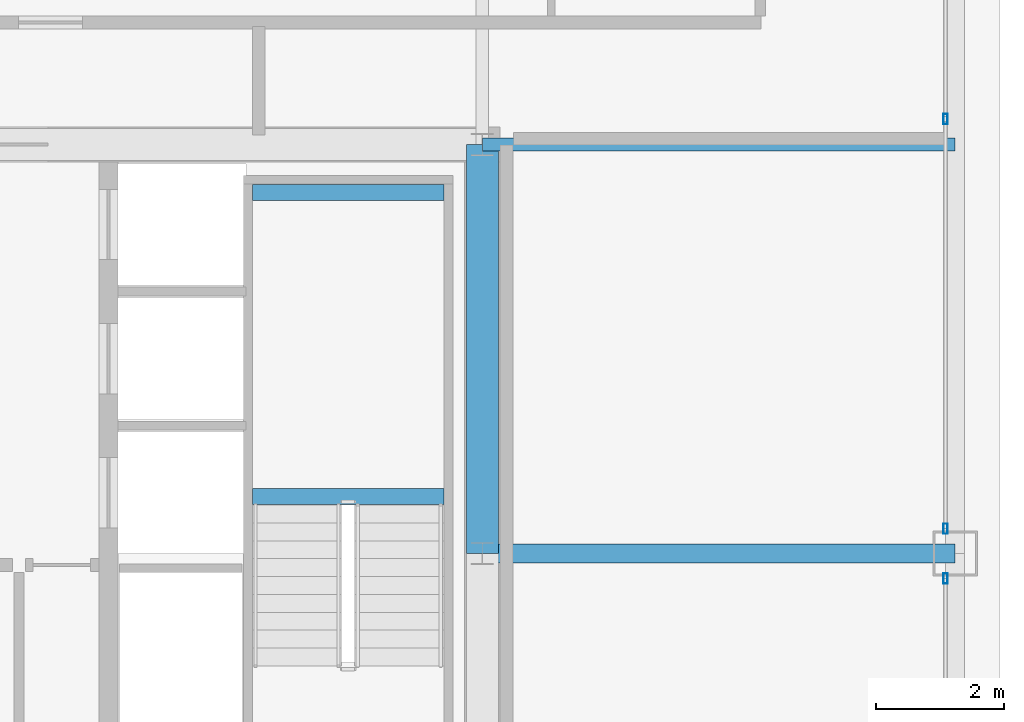
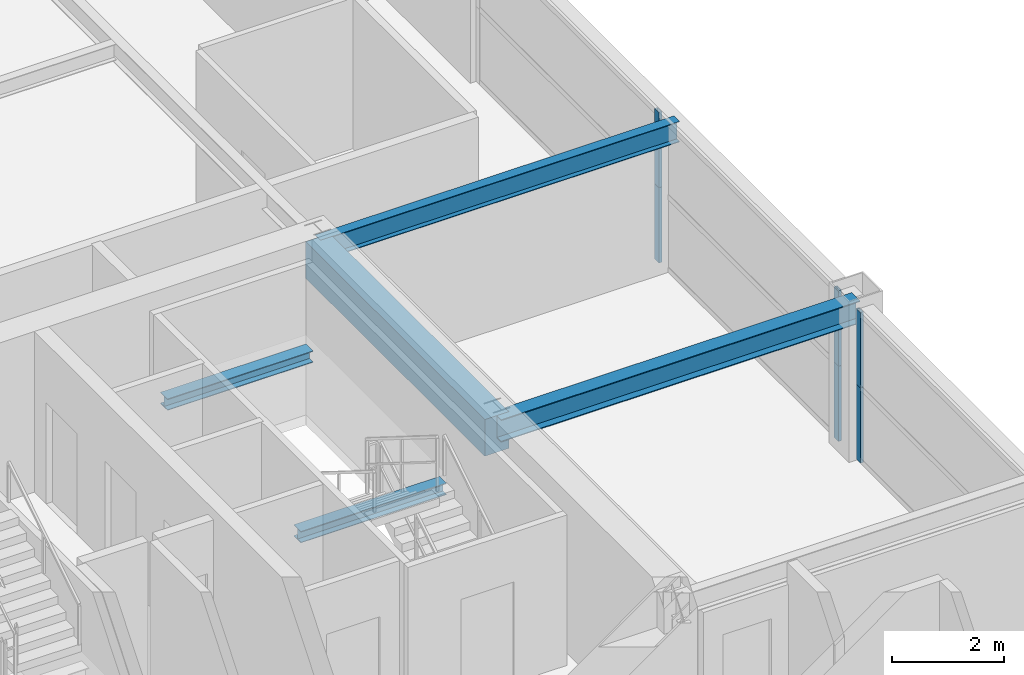
# One storey, part 19 of 35: 6 members, 5 beams, 2 elements without a shape of their own.
"""IFC4 building model written with IfcOpenShell, lengths in metres."""

import ifcopenshell
import ifcopenshell.guid

model = None  # the IFC model being written
_history = None  # IfcOwnerHistory: only IFC2X3 demands one
_inside = {}  # id of a spatial element -> (the spatial element, [elements in it])
_under = {}  # id of a project, library or spatial element -> (it, [spatial elements below it])
_declared = {}  # id of a project -> (the project, [libraries it declares])
_typed = {}  # id of a type object -> (the type object, [elements of that type])
_made_of = {}  # id of a material, layer set ... -> (it, [elements and type objects made of it])


def new_model(schema):
    """Start an empty IFC model of exactly this schema.

    Asked for "IFC4X3", IfcOpenShell would pick the latest addendum, in which some entities
    have other attributes; the version numbers below select the first issue.
    IFC2X3 requires an IfcOwnerHistory on every rooted entity: one is made here for all.
    """
    global model, _history
    if schema == "IFC4X3":
        model = ifcopenshell.file(schema_version=(4, 3, 0, 0))
    else:
        model = ifcopenshell.file(schema=schema)
    _inside.clear()
    _under.clear()
    _declared.clear()
    _typed.clear()
    _made_of.clear()
    _history = None
    if model.schema == "IFC2X3":
        org = make("IfcOrganization", Name="unknown")
        user = make(
            "IfcPersonAndOrganization",
            ThePerson=make("IfcPerson", FamilyName="unknown"),
            TheOrganization=org,
        )
        app = make(
            "IfcApplication",
            ApplicationDeveloper=org,
            Version="unknown",
            ApplicationFullName="unknown",
            ApplicationIdentifier="unknown",
        )
        _history = make(
            "IfcOwnerHistory",
            OwningUser=user,
            OwningApplication=app,
            ChangeAction="ADDED",
            CreationDate=0,
        )
    return model


def make(cls, **values):
    """One entity of the class cls with the attributes given. An attribute that is None is left unset."""
    return model.create_entity(
        cls, **{name: value for name, value in values.items() if value is not None}
    )


def rooted(cls, **values):
    """An entity with a GlobalId (a new one), such as an element, a storey or a relation."""
    return make(cls, GlobalId=ifcopenshell.guid.new(), OwnerHistory=_history, **values)


def si_unit(unit_type, name, prefix=None):
    """IfcSIUnit, for example si_unit("LENGTHUNIT", "METRE", prefix="MILLI")."""
    return make("IfcSIUnit", UnitType=unit_type, Prefix=prefix, Name=name)


def assignment(units):
    """IfcUnitAssignment: the units of a project."""
    return None if units is None else make("IfcUnitAssignment", Units=units)


def point(xyz):
    """IfcCartesianPoint."""
    return None if xyz is None else make("IfcCartesianPoint", Coordinates=xyz)


def direction(xyz):
    """IfcDirection."""
    return None if xyz is None else make("IfcDirection", DirectionRatios=xyz)


def frame(location, z_axis=None, x_axis=None):
    """IfcAxis2Placement3D, a coordinate frame: its origin and axes. An axis left out is left unset."""
    return make(
        "IfcAxis2Placement3D",
        Location=point(location),
        Axis=direction(z_axis),
        RefDirection=direction(x_axis),
    )


def frame_2d(location, x_axis=None):
    """IfcAxis2Placement2D, a coordinate frame in the plane: its origin and x axis."""
    return make(
        "IfcAxis2Placement2D", Location=point(location), RefDirection=direction(x_axis)
    )


def origin():
    """The frame at (0, 0, 0) with its axes left unset."""
    return frame((0.0, 0.0, 0.0))


def origin_2d():
    """The frame at (0, 0) in the plane with its x axis left unset."""
    return frame_2d((0.0, 0.0))


def place(relative_to, where):
    """IfcLocalPlacement: puts the frame where relative to a parent placement (None: the world)."""
    return make(
        "IfcLocalPlacement", PlacementRelTo=relative_to, RelativePlacement=where
    )


def context(
    kind, dimensions, precision=None, world=None, true_north=None, identifier=None
):
    """IfcGeometricRepresentationContext, for example the 3D "Model" context."""
    return make(
        "IfcGeometricRepresentationContext",
        ContextIdentifier=identifier,
        ContextType=kind,
        CoordinateSpaceDimension=dimensions,
        Precision=precision,
        WorldCoordinateSystem=world,
        TrueNorth=true_north,
    )


def subcontext(parent, identifier, kind, view, scale=None):
    """IfcGeometricRepresentationSubContext, for example "Body" below "Model"."""
    return make(
        "IfcGeometricRepresentationSubContext",
        ContextIdentifier=identifier,
        ContextType=kind,
        ParentContext=parent,
        TargetScale=scale,
        TargetView=view,
    )


def project(units=None, contexts=None):
    """IfcProject with its units and contexts."""
    return rooted(
        "IfcProject",
        Name="project",
        RepresentationContexts=contexts,
        UnitsInContext=assignment(units),
    )


def spatial(cls, under=None, at=None, **own):
    """A site, building, storey or space (cls), placed at a placement, below another one or the project."""
    s = rooted(cls, ObjectPlacement=at, **own)
    if under is not None:
        _under.setdefault(under.id(), (under, []))[1].append(s)
    return s


def profile(cls, at=None, kind="AREA", **sizes):
    """A parametric profile (cls). Its sizes go by their IFC names, for example OverallWidth=200.0."""
    return make(cls, ProfileType=kind, Position=at, **sizes)


def rectangle(**sizes):
    """IfcRectangleProfileDef."""
    return profile("IfcRectangleProfileDef", **sizes)


def hollow_rectangle(**sizes):
    """IfcRectangleHollowProfileDef."""
    return profile("IfcRectangleHollowProfileDef", **sizes)


def i_section(**sizes):
    """IfcIShapeProfileDef."""
    return profile("IfcIShapeProfileDef", **sizes)


def extrude(swept, where, along, depth):
    """IfcExtrudedAreaSolid: the profile swept, set in the frame where, extruded along a direction by depth."""
    return make(
        "IfcExtrudedAreaSolid",
        SweptArea=swept,
        Position=where,
        ExtrudedDirection=direction(along),
        Depth=depth,
    )


def shape(context_of_items, identifier, shape_type, items):
    """IfcShapeRepresentation: the items that make up one representation, for example the "Body"."""
    return make(
        "IfcShapeRepresentation",
        ContextOfItems=context_of_items,
        RepresentationIdentifier=identifier,
        RepresentationType=shape_type,
        Items=items,
    )


def source(mapping_origin, context_of_items, identifier, shape_type, items):
    """IfcRepresentationMap: a shape defined once, which mapped items show again and again."""
    return make(
        "IfcRepresentationMap",
        MappingOrigin=mapping_origin,
        MappedRepresentation=shape(context_of_items, identifier, shape_type, items),
    )


def transform(
    local_origin,
    x_axis=None,
    y_axis=None,
    z_axis=None,
    scale=None,
    scale2=None,
    scale3=None,
    uniform=True,
):
    """IfcCartesianTransformationOperator3D, or its non-uniform kind. x_axis, y_axis, z_axis: its Axis1, 2, 3."""
    if uniform:
        return make(
            "IfcCartesianTransformationOperator3D",
            Axis1=direction(x_axis),
            Axis2=direction(y_axis),
            LocalOrigin=point(local_origin),
            Scale=scale,
            Axis3=direction(z_axis),
        )
    return make(
        "IfcCartesianTransformationOperator3DnonUniform",
        Axis1=direction(x_axis),
        Axis2=direction(y_axis),
        LocalOrigin=point(local_origin),
        Scale=scale,
        Axis3=direction(z_axis),
        Scale2=scale2,
        Scale3=scale3,
    )


def mapped(mapping_source, mapping_target):
    """IfcMappedItem: shows the shape of a source again, moved by a transform."""
    return make(
        "IfcMappedItem", MappingSource=mapping_source, MappingTarget=mapping_target
    )


def material(Name=None, Category=None):
    """IfcMaterial."""
    return make("IfcMaterial", Name=Name, Category=Category)


def layer(
    of_material, thickness, ventilated=None, Name=None, Category=None, Priority=None
):
    """IfcMaterialLayer: one layer of a wall or slab, of a material (None: an air gap)."""
    return make(
        "IfcMaterialLayer",
        Material=of_material,
        LayerThickness=thickness,
        IsVentilated=ventilated,
        Name=Name,
        Category=Category,
        Priority=Priority,
    )


def layer_set(layers, Name=None):
    """IfcMaterialLayerSet."""
    return make("IfcMaterialLayerSet", MaterialLayers=layers, LayerSetName=Name)


def material_profile(
    of_material, cross_section, Name=None, Category=None, Priority=None
):
    """IfcMaterialProfile: a cross section and its material."""
    return make(
        "IfcMaterialProfile",
        Name=Name,
        Material=of_material,
        Profile=cross_section,
        Priority=Priority,
        Category=Category,
    )


def profile_set(profiles, Name=None, composite=None):
    """IfcMaterialProfileSet."""
    return make(
        "IfcMaterialProfileSet",
        Name=Name,
        MaterialProfiles=profiles,
        CompositeProfile=composite,
    )


def made_of(thing, what):
    """Note that an element or type object is made of a material, layer set ...; save() writes the relation."""
    if what is not None:
        _made_of.setdefault(what.id(), (what, []))[1].append(thing)
    return thing


def type_object(cls, material=None, **own):
    """A type object (cls), such as IfcWallType, which elements share."""
    return made_of(rooted(cls, **own), material)


def element(
    cls,
    number,
    at=None,
    inside=None,
    cuts=None,
    type_object=None,
    material=None,
    context=None,
    identifier="Body",
    shape_type=None,
    held_by="IfcProductDefinitionShape",
    body=None,
    shapes=None,
    **own,
):
    """One element of the class cls, such as IfcWall. Its Tag is "e" and its number.

    at: its placement. inside: the storey or other place that contains it. cuts: it is an
    opening in that element (IfcRelVoidsElement). A single representation is given by context,
    identifier, shape_type and body (its items); several are given by shapes. held_by: the class
    of the entity that holds the representations. save() writes the other relations.
    """
    e = rooted(cls, Tag="e%d" % number, ObjectPlacement=at, **own)
    if body is not None:
        shapes = [shape(context, identifier, shape_type, body)]
    if shapes is not None:
        e.Representation = make(held_by, Representations=shapes)
    if inside is not None:
        _inside.setdefault(inside.id(), (inside, []))[1].append(e)
    if cuts is not None:
        rooted(
            "IfcRelVoidsElement", RelatingBuildingElement=cuts, RelatedOpeningElement=e
        )
    if type_object is not None:
        _typed.setdefault(type_object.id(), (type_object, []))[1].append(e)
    return made_of(e, material)


def aggregate(whole, parts):
    """IfcRelAggregates: a whole, such as a stair, and the parts it consists of."""
    return rooted("IfcRelAggregates", RelatingObject=whole, RelatedObjects=parts)


def save(model, path):
    """Write the relations noted so far, then the file.

    IfcRelAggregates (storeys below a building ...), IfcRelContainedInSpatialStructure (elements
    in a storey), IfcRelDefinesByType, IfcRelAssociatesMaterial and IfcRelDeclares: one each for
    every whole, place, type object, material and project.
    """
    for whole, parts in _under.values():
        aggregate(whole, parts)
    for where, things in _inside.values():
        rooted(
            "IfcRelContainedInSpatialStructure",
            RelatedElements=things,
            RelatingStructure=where,
        )
    for kind, things in _typed.values():
        rooted("IfcRelDefinesByType", RelatedObjects=things, RelatingType=kind)
    for what, things in _made_of.values():
        rooted("IfcRelAssociatesMaterial", RelatedObjects=things, RelatingMaterial=what)
    for by, libraries in _declared.values():
        rooted("IfcRelDeclares", RelatingContext=by, RelatedDefinitions=libraries)
    model.write(path)


model = new_model("IFC4")

# Units and contexts
model_context = context("Model", 3, precision=1e-05, world=origin(), true_north=direction((0.0, 1.0)))
body_context = subcontext(model_context, "Body", "Model", "MODEL_VIEW")
ifc_project = project(units=[si_unit("LENGTHUNIT", "METRE"), si_unit("AREAUNIT", "SQUARE_METRE"), si_unit("VOLUMEUNIT", "CUBIC_METRE"), si_unit("PLANEANGLEUNIT", "RADIAN"), si_unit("MASSUNIT", "GRAM", prefix="KILO"), si_unit("THERMODYNAMICTEMPERATUREUNIT", "KELVIN"), si_unit("POWERUNIT", "WATT")], contexts=[model_context])

# Site, building, storey
site_placement = place(None, origin())
site = spatial("IfcSite", under=ifc_project, at=site_placement, CompositionType="ELEMENT")
building_placement = place(site_placement, origin())
building = spatial("IfcBuilding", under=site, at=building_placement, Name="Yuzanri Waterfront Tower", CompositionType="ELEMENT")
storey_placement = place(building_placement, frame((0.0, 0.0, 271.60009765625)))
storey = spatial("IfcBuildingStorey", under=building, at=storey_placement, Name="L72", CompositionType="ELEMENT", Elevation=271.60009765625)

# Beams
ifc_material_1 = material(Name="Concrete C50", Category="concrete")
ifc_material_profile_1 = material_profile(ifc_material_1, rectangle(XDim=0.5, YDim=0.800048828125, at=origin_2d()), Name="RC 500x800")
ifc_profile_set_1 = profile_set([ifc_material_profile_1], Name="Concrete C50")
beam_type_1 = type_object("IfcBeamType", Name="Core Coupling Lintel Concrete C50 500x800", PredefinedType="LINTEL", material=ifc_profile_set_1)
shared_shape_1 = source(origin(), body_context, "Body", "SweptSolid", [
    extrude(rectangle(XDim=0.5, YDim=0.800048828125, at=origin_2d()), origin(), (0.0, 0.0, 1.0), 6.39990234375),
])
beam_1_placement = place(storey_placement, frame((50.199951171875, 25.800048828125, 2.8798828125), z_axis=(0.0, 1.0, 0.0), x_axis=(-1.0, 0.0, 0.0)))
element("IfcBeam", 1, at=beam_1_placement, inside=storey, type_object=beam_type_1, Name="L72 Core Tie Beam CE2", PredefinedType="LINTEL", context=body_context, shape_type="MappedRepresentation", body=[
    mapped(shared_shape_1, transform((0.0, 0.0, 0.0), scale=1.0)),
])
ifc_material_2 = material(Name="Steel Q355B", Category="steel")
ifc_material_profile_2 = material_profile(ifc_material_2, i_section(OverallWidth=0.300048828125, OverallDepth=0.488037109375, WebThickness=0.010986328125, FlangeThickness=0.01806640625, at=origin_2d()), Name="HM 488x300x11x18")
ifc_profile_set_2 = profile_set([ifc_material_profile_2], Name="Steel Q355B")
beam_type_2 = type_object("IfcBeamType", Name="Primary Floor Girder Q355B HM 488x300", PredefinedType="BEAM", material=ifc_profile_set_2)
shared_shape_2 = source(origin(), body_context, "Body", "SweptSolid", [
    extrude(i_section(OverallWidth=0.300048828125, OverallDepth=0.488037109375, WebThickness=0.010986328125, FlangeThickness=0.01806640625, at=origin_2d()), origin(), (0.0, 0.0, 1.0), 7.400146484375),
])
beam_2_placement = place(storey_placement, frame((50.199951171875, 25.800048828125, 3.035888671875), z_axis=(1.0, 0.0, 0.0), x_axis=(0.0, 1.0, 0.0)))
element("IfcBeam", 2, at=beam_2_placement, inside=storey, type_object=beam_type_2, Name="L72 East Grid Girder", PredefinedType="BEAM", context=body_context, shape_type="MappedRepresentation", body=[
    mapped(shared_shape_2, transform((0.0, 0.0, 0.0), scale=1.0)),
])
ifc_material_3 = material(Name="Steel Q355B", Category="steel")
ifc_material_profile_3 = material_profile(ifc_material_3, i_section(OverallWidth=0.199951171875, OverallDepth=0.449951171875, WebThickness=0.009033203125, FlangeThickness=0.013916015625, at=origin_2d()), Name="HN 450x200x9x14")
ifc_profile_set_3 = profile_set([ifc_material_profile_3], Name="Steel Q355B")
beam_type_3 = type_object("IfcBeamType", Name="Secondary Floor Beam Q355B HN 450x200", PredefinedType="BEAM", material=ifc_profile_set_3)
shared_shape_3 = source(origin(), body_context, "Body", "SweptSolid", [
    extrude(i_section(OverallWidth=0.199951171875, OverallDepth=0.449951171875, WebThickness=0.009033203125, FlangeThickness=0.013916015625, at=origin_2d()), origin(), (0.0, 0.0, 1.0), 7.400146484375),
])
beam_3_placement = place(storey_placement, frame((50.199951171875, 32.199951171875, 3.054931640625), z_axis=(1.0, 0.0, 0.0), x_axis=(0.0, 1.0, 0.0)))
element("IfcBeam", 3, at=beam_3_placement, inside=storey, type_object=beam_type_3, Name="L72 East-North Core Line Beam", PredefinedType="BEAM", context=body_context, shape_type="MappedRepresentation", body=[
    mapped(shared_shape_3, transform((0.0, 0.0, 0.0), scale=1.0)),
])

# Curtain wall, members
ifc_material_4 = material(Name="Anodized Architectural Bronze", Category="metal")
ifc_layer = layer(ifc_material_4, 0.159912109375)
ifc_layer_set = layer_set([ifc_layer], Name="Anodized Architectural Bronze")
curtain_wall_type = type_object("IfcCurtainWallType", Name="Anodized Bronze Mid-Rise Residential Acoustic Unitized Curtain Wall 7200", PredefinedType="NOTDEFINED", material=ifc_layer_set)
curtain_wall_1_placement = place(storey_placement, origin())
curtain_wall_1 = element("IfcCurtainWall", 4, at=curtain_wall_1_placement, inside=storey, type_object=curtain_wall_type, Name="L72 Curtain Wall CW-L72-EL", PredefinedType="NOTDEFINED")
ifc_material_5 = material(Name="Anodized Architectural Bronze", Category="metal")
ifc_material_profile_4 = material_profile(ifc_material_5, hollow_rectangle(XDim=0.06494140625, YDim=0.159912109375, WallThickness=0.00341796875, at=origin_2d()), Name="CWM 65x160")
ifc_profile_set_4 = profile_set([ifc_material_profile_4], Name="Anodized Architectural Bronze")
member_type = type_object("IfcMemberType", Name="Anodized Bronze Upper-Zone Curtain-Wall Mullion 65x160", PredefinedType="MULLION", material=ifc_profile_set_4)
shared_shape_4 = source(origin(), body_context, "Body", "SweptSolid", [
    extrude(hollow_rectangle(XDim=0.06494140625, YDim=0.159912109375, WallThickness=0.00341796875, at=origin_2d()), origin(), (0.0, 0.0, 1.0), 1.637939453125),
])
member_1_placement = place(storey_placement, frame((57.449951171875, 25.409912109375, 0.0), z_axis=(0.0, 0.0, 1.0), x_axis=(1.0, 0.0, 0.0)))
member_1 = element("IfcMember", 5, at=member_1_placement, type_object=member_type, Name="CW-L72-EL Lower Mullion 02", PredefinedType="MULLION", context=body_context, shape_type="MappedRepresentation", body=[
    mapped(shared_shape_4, transform((0.0, 0.0, 0.0), scale=1.0)),
])
member_2_placement = place(storey_placement, frame((57.449951171875, 25.409912109375, 1.641845703125), z_axis=(0.0, 0.0, 1.0), x_axis=(1.0, 0.0, 0.0)))
member_2 = element("IfcMember", 6, at=member_2_placement, type_object=member_type, Name="CW-L72-EL Upper Mullion 02", PredefinedType="MULLION", context=body_context, shape_type="MappedRepresentation", body=[
    mapped(shared_shape_4, transform((0.0, 0.0, 0.0), scale=1.0)),
])
aggregate(curtain_wall_1, [member_1, member_2])

curtain_wall_2_placement = place(storey_placement, origin())
curtain_wall_2 = element("IfcCurtainWall", 7, at=curtain_wall_2_placement, inside=storey, type_object=curtain_wall_type, Name="L72 Curtain Wall CW-L72-ER", PredefinedType="NOTDEFINED")
member_3_placement = place(storey_placement, frame((57.449951171875, 26.18994140625, 0.0), z_axis=(0.0, 0.0, 1.0), x_axis=(1.0, 0.0, 0.0)))
member_3 = element("IfcMember", 8, at=member_3_placement, type_object=member_type, Name="CW-L72-ER Lower Mullion 00", PredefinedType="MULLION", context=body_context, shape_type="MappedRepresentation", body=[
    mapped(shared_shape_4, transform((0.0, 0.0, 0.0), scale=1.0)),
])
member_4_placement = place(storey_placement, frame((57.449951171875, 26.18994140625, 1.641845703125), z_axis=(0.0, 0.0, 1.0), x_axis=(1.0, 0.0, 0.0)))
member_4 = element("IfcMember", 9, at=member_4_placement, type_object=member_type, Name="CW-L72-ER Upper Mullion 00", PredefinedType="MULLION", context=body_context, shape_type="MappedRepresentation", body=[
    mapped(shared_shape_4, transform((0.0, 0.0, 0.0), scale=1.0)),
])
member_5_placement = place(storey_placement, frame((57.449951171875, 32.60009765625, 0.0), z_axis=(0.0, 0.0, 1.0), x_axis=(1.0, 0.0, 0.0)))
member_5 = element("IfcMember", 10, at=member_5_placement, type_object=member_type, Name="CW-L72-ER Lower Mullion 01", PredefinedType="MULLION", context=body_context, shape_type="MappedRepresentation", body=[
    mapped(shared_shape_4, transform((0.0, 0.0, 0.0), scale=1.0)),
])
member_6_placement = place(storey_placement, frame((57.449951171875, 32.60009765625, 1.641845703125), z_axis=(0.0, 0.0, 1.0), x_axis=(1.0, 0.0, 0.0)))
member_6 = element("IfcMember", 11, at=member_6_placement, type_object=member_type, Name="CW-L72-ER Upper Mullion 01", PredefinedType="MULLION", context=body_context, shape_type="MappedRepresentation", body=[
    mapped(shared_shape_4, transform((0.0, 0.0, 0.0), scale=1.0)),
])
aggregate(curtain_wall_2, [member_3, member_4, member_5, member_6])

# Beams
ifc_material_6 = material(Name="Steel Q355B", Category="steel")
ifc_material_profile_5 = material_profile(ifc_material_6, i_section(OverallWidth=0.25, OverallDepth=0.25, WebThickness=0.009033203125, FlangeThickness=0.013916015625, at=origin_2d()), Name="HW 250x250x9x14")
ifc_profile_set_5 = profile_set([ifc_material_profile_5], Name="Steel Q355B")
beam_type_4 = type_object("IfcBeamType", Name="Stair Landing Support Beam Q355B HW 250x250", PredefinedType="BEAM", material=ifc_profile_set_5)
shared_shape_5 = source(origin(), body_context, "Body", "SweptSolid", [
    extrude(i_section(OverallWidth=0.25, OverallDepth=0.25, WebThickness=0.009033203125, FlangeThickness=0.013916015625, at=origin_2d()), origin(), (0.0, 0.0, 1.0), 3.0),
])
for number, where, z_axis, x_axis, name in (
    (12, (46.60009765625, 26.68994140625, 1.4248046875), (1.0, 0.0, 0.0), (0.0, 1.0, 0.0), "L72 Stair Landing Support Beam ST-02-L72-L1-1"),
    (13, (46.60009765625, 31.449951171875, 1.4248046875), (1.0, 0.0, 0.0), (0.0, 1.0, 0.0), "L72 Stair Landing Support Beam ST-02-L72-L1-2"),
):
    element("IfcBeam", number, at=place(storey_placement, frame(where, z_axis=z_axis, x_axis=x_axis)), inside=storey, type_object=beam_type_4, Name=name, PredefinedType="BEAM", context=body_context, shape_type="MappedRepresentation", body=[
        mapped(shared_shape_5, transform((0.0, 0.0, 0.0), scale=1.0)),
    ])

save(model, "model.ifc")
